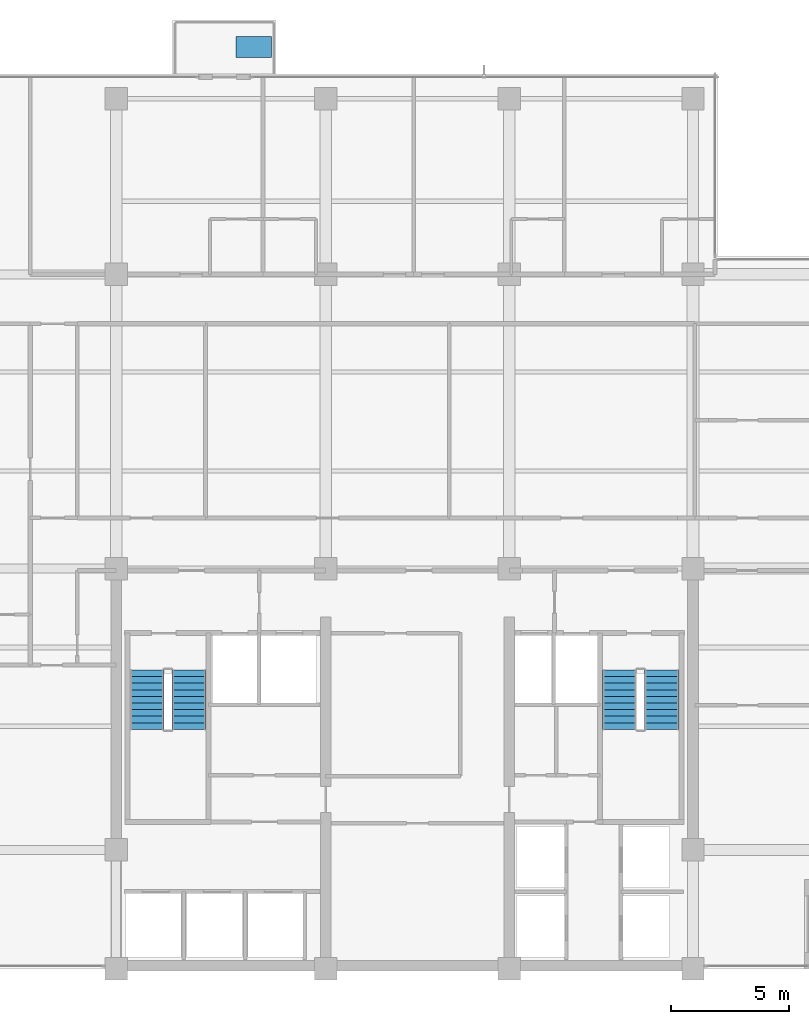
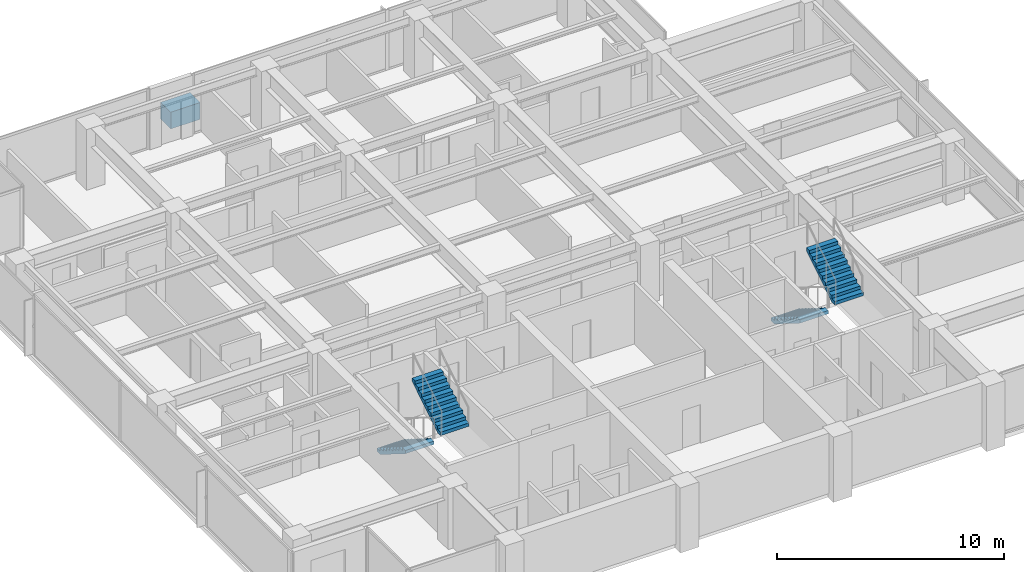
# One storey, part 10 of 14: 4 stair flights, 1 discrete accessory, 2 elements without a shape of their own.
"""IFC4 building model written with IfcOpenShell, lengths in metres."""

from ifc_helpers import new_model, si_unit, direction, frame, origin, place, context, subcontext, project, spatial, polyline, outline, extrude, material, layer, layer_set, type_object, element, aggregate, save


model = new_model("IFC4")

# Units and contexts
model_context = context("Model", 3, precision=1e-05, world=origin(), true_north=direction((0.0, 1.0)))
body_context = subcontext(model_context, "Body", "Model", "MODEL_VIEW")
ifc_project = project(units=[si_unit("LENGTHUNIT", "METRE"), si_unit("AREAUNIT", "SQUARE_METRE"), si_unit("VOLUMEUNIT", "CUBIC_METRE"), si_unit("PLANEANGLEUNIT", "RADIAN"), si_unit("MASSUNIT", "GRAM", prefix="KILO")], contexts=[model_context])

# Site, building, storey
site_placement = place(None, origin())
site = spatial("IfcSite", under=ifc_project, at=site_placement, CompositionType="ELEMENT")
building_placement = place(site_placement, origin())
building = spatial("IfcBuilding", under=site, at=building_placement, Name="Qalmaran Belvedere Hotel", CompositionType="ELEMENT")
storey_placement = place(building_placement, frame((0.0, 0.0, 235.39990234375)))
storey = spatial("IfcBuildingStorey", under=building, at=storey_placement, Name="L60", CompositionType="ELEMENT", Elevation=235.39990234375)

# Stair, stair flights
ifc_material = material(Name="Concrete C40/50", Category="concrete")
stair_type_1 = type_object("IfcStairType", Name="STR-ST-1-1450-R1750", PredefinedType="HALF_TURN_STAIR", material=ifc_material)
stair_1_placement = place(storey_placement, origin())
stair_1 = element("IfcStair", 1, at=stair_1_placement, inside=storey, type_object=stair_type_1, Name="L60 West Core Exit Stair ST-1", PredefinedType="HALF_TURN_STAIR")
ifc_layer_1 = layer(ifc_material, 0.14990234375, Name="Concrete C40/50")
ifc_layer_set_1 = layer_set([ifc_layer_1], Name="Concrete C40/50")
stair_flight_type_1 = type_object("IfcStairFlightType", Name="STF-ST-1-1450-R1750", PredefinedType="STRAIGHT", material=ifc_layer_set_1)
stair_flight_1_placement = place(storey_placement, frame((21.60498046875, 16.18994140625, 0.0), z_axis=(0.0, 0.0, 1.0), x_axis=(0.0, -1.0, 0.0)))
stair_flight_1 = element("IfcStairFlight", 2, at=stair_flight_1_placement, type_object=stair_flight_type_1, Name="ST-1 flight 1", NumberOfRisers=10, NumberOfTreads=9, PredefinedType="STRAIGHT", RiserHeight=0.175, TreadLength=0.28, context=body_context, shape_type="SweptSolid", body=[
    extrude(outline(polyline([(0.0, 0.0), (0.0, 0.175048828125), (0.280029296875, 0.175048828125), (0.280029296875, 0.35009765625), (0.56005859375, 0.35009765625), (0.56005859375, 0.52490234375), (0.840087890625, 0.52490234375), (0.840087890625, 0.699951171875), (1.1201171875, 0.699951171875), (1.1201171875, 0.875), (1.39990234375, 0.875), (1.39990234375, 1.050048828125), (1.679931640625, 1.050048828125), (1.679931640625, 1.22509765625), (1.9599609375, 1.22509765625), (1.9599609375, 1.39990234375), (2.239990234375, 1.39990234375), (2.239990234375, 1.574951171875), (2.52001953125, 1.574951171875), (2.52001953125, 1.75), (2.52001953125, 1.398193359375), (0.28271484375, 0.0), (0.0, 0.0)])), frame((0.0, 0.72509765625, 0.0), z_axis=(0.0, -1.0, 0.0), x_axis=(1.0, 0.0, 0.0)), (0.0, 0.0, 1.0), 1.449951171875),
])
stair_flight_2_placement = place(storey_placement, frame((23.39501953125, 13.669921875, 1.75), z_axis=(0.0, 0.0, 1.0), x_axis=(0.0, 1.0, 0.0)))
stair_flight_2 = element("IfcStairFlight", 3, at=stair_flight_2_placement, type_object=stair_flight_type_1, Name="ST-1 flight 2", NumberOfRisers=10, NumberOfTreads=9, PredefinedType="STRAIGHT", RiserHeight=0.175, TreadLength=0.28, context=body_context, shape_type="SweptSolid", body=[
    extrude(outline(polyline([(0.0, 0.0), (0.0, 0.175048828125), (0.280029296875, 0.175048828125), (0.280029296875, 0.35009765625), (0.56005859375, 0.35009765625), (0.56005859375, 0.52490234375), (0.840087890625, 0.52490234375), (0.840087890625, 0.699951171875), (1.1201171875, 0.699951171875), (1.1201171875, 0.875), (1.39990234375, 0.875), (1.39990234375, 1.050048828125), (1.679931640625, 1.050048828125), (1.679931640625, 1.22509765625), (1.9599609375, 1.22509765625), (1.9599609375, 1.39990234375), (2.239990234375, 1.39990234375), (2.239990234375, 1.574951171875), (2.52001953125, 1.574951171875), (2.52001953125, 1.75), (2.52001953125, 1.398193359375), (0.28271484375, 0.0), (0.0, 0.0)])), frame((0.0, 0.72509765625, 0.0), z_axis=(0.0, -1.0, 0.0), x_axis=(1.0, 0.0, 0.0)), (0.0, 0.0, 1.0), 1.449951171875),
])
aggregate(stair_1, [stair_flight_1, stair_flight_2])

stair_type_2 = type_object("IfcStairType", Name="STR-ST-2-1450-R1750", PredefinedType="HALF_TURN_STAIR", material=ifc_material)
stair_2_placement = place(storey_placement, origin())
stair_2 = element("IfcStair", 4, at=stair_2_placement, inside=storey, type_object=stair_type_2, Name="L60 East Core Exit Stair ST-2", PredefinedType="HALF_TURN_STAIR")
ifc_layer_2 = layer(ifc_material, 0.14990234375, Name="Concrete C40/50")
ifc_layer_set_2 = layer_set([ifc_layer_2], Name="Concrete C40/50")
stair_flight_type_2 = type_object("IfcStairFlightType", Name="STF-ST-2-1450-R1750", PredefinedType="STRAIGHT", material=ifc_layer_set_2)
stair_flight_3_placement = place(storey_placement, frame((41.68505859375, 16.18994140625, 0.0), z_axis=(0.0, 0.0, 1.0), x_axis=(0.0, -1.0, 0.0)))
stair_flight_3 = element("IfcStairFlight", 5, at=stair_flight_3_placement, type_object=stair_flight_type_2, Name="ST-2 flight 1", NumberOfRisers=10, NumberOfTreads=9, PredefinedType="STRAIGHT", RiserHeight=0.175, TreadLength=0.28, context=body_context, shape_type="SweptSolid", body=[
    extrude(outline(polyline([(0.0, 0.0), (0.0, 0.175048828125), (0.280029296875, 0.175048828125), (0.280029296875, 0.35009765625), (0.56005859375, 0.35009765625), (0.56005859375, 0.52490234375), (0.840087890625, 0.52490234375), (0.840087890625, 0.699951171875), (1.1201171875, 0.699951171875), (1.1201171875, 0.875), (1.39990234375, 0.875), (1.39990234375, 1.050048828125), (1.679931640625, 1.050048828125), (1.679931640625, 1.22509765625), (1.9599609375, 1.22509765625), (1.9599609375, 1.39990234375), (2.239990234375, 1.39990234375), (2.239990234375, 1.574951171875), (2.52001953125, 1.574951171875), (2.52001953125, 1.75), (2.52001953125, 1.398193359375), (0.28271484375, 0.0), (0.0, 0.0)])), frame((0.0, 0.72509765625, 0.0), z_axis=(0.0, -1.0, 0.0), x_axis=(1.0, 0.0, 0.0)), (0.0, 0.0, 1.0), 1.449951171875),
])
stair_flight_4_placement = place(storey_placement, frame((43.47509765625, 13.669921875, 1.75), z_axis=(0.0, 0.0, 1.0), x_axis=(0.0, 1.0, 0.0)))
stair_flight_4 = element("IfcStairFlight", 6, at=stair_flight_4_placement, type_object=stair_flight_type_2, Name="ST-2 flight 2", NumberOfRisers=10, NumberOfTreads=9, PredefinedType="STRAIGHT", RiserHeight=0.175, TreadLength=0.28, context=body_context, shape_type="SweptSolid", body=[
    extrude(outline(polyline([(0.0, 0.0), (0.0, 0.175048828125), (0.280029296875, 0.175048828125), (0.280029296875, 0.35009765625), (0.56005859375, 0.35009765625), (0.56005859375, 0.52490234375), (0.840087890625, 0.52490234375), (0.840087890625, 0.699951171875), (1.1201171875, 0.699951171875), (1.1201171875, 0.875), (1.39990234375, 0.875), (1.39990234375, 1.050048828125), (1.679931640625, 1.050048828125), (1.679931640625, 1.22509765625), (1.9599609375, 1.22509765625), (1.9599609375, 1.39990234375), (2.239990234375, 1.39990234375), (2.239990234375, 1.574951171875), (2.52001953125, 1.574951171875), (2.52001953125, 1.75), (2.52001953125, 1.398193359375), (0.28271484375, 0.0), (0.0, 0.0)])), frame((0.0, 0.72509765625, 0.0), z_axis=(0.0, -1.0, 0.0), x_axis=(1.0, 0.0, 0.0)), (0.0, 0.0, 1.0), 1.449951171875),
])
aggregate(stair_2, [stair_flight_3, stair_flight_4])

# Discrete accessory
discrete_accessory_type = type_object("IfcDiscreteAccessoryType", Name="PLN-BAL-1500", PredefinedType="USERDEFINED", material=ifc_material)
discrete_accessory_placement = place(storey_placement, origin())
element("IfcDiscreteAccessory", 7, at=discrete_accessory_placement, inside=storey, type_object=discrete_accessory_type, Name="L60 Sky Tree Planter", ObjectType="PLANTER", PredefinedType="USERDEFINED", context=body_context, shape_type="SweptSolid", body=[
    extrude(outline(polyline([(25.39990234375, 42.199951171875), (26.89990234375, 42.199951171875), (26.89990234375, 43.10009765625), (25.39990234375, 43.10009765625), (25.39990234375, 42.199951171875)])), origin(), (0.0, 0.0, 1.0), 0.900146484375),
])

save(model, "model.ifc")
